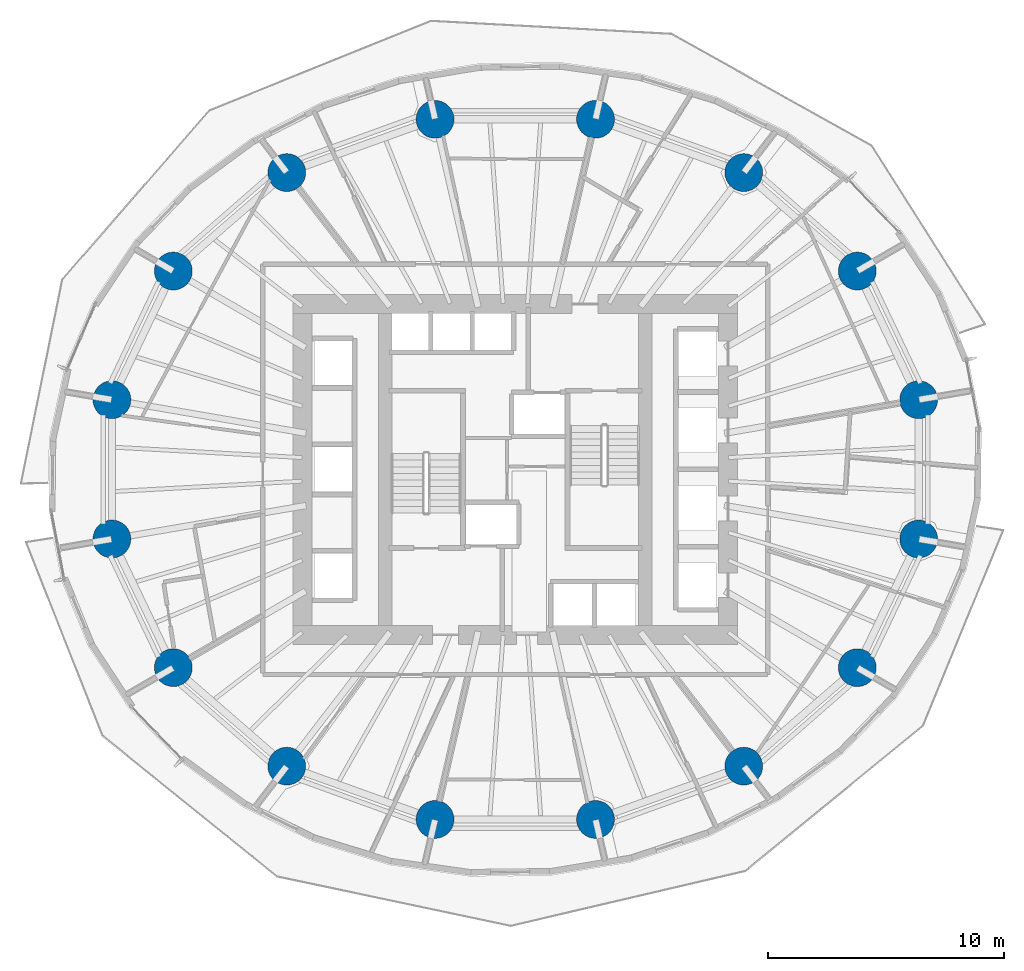
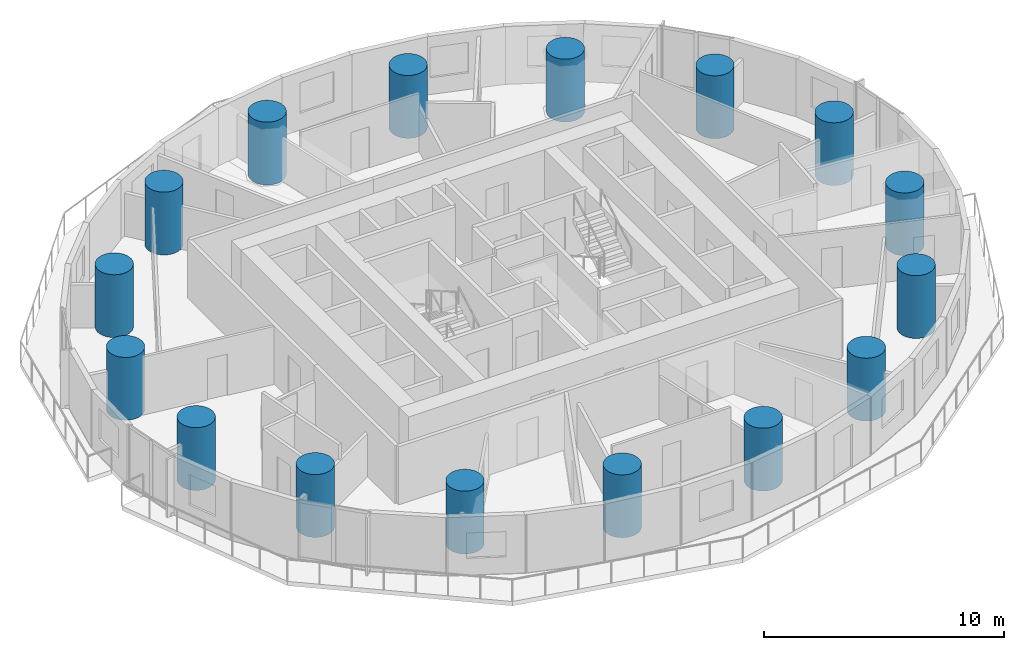
# One storey, part 1 of 14: 16 columns.
"""IFC4 building model written with IfcOpenShell, lengths in metres."""

from ifc_helpers import new_model, si_unit, direction, frame, origin, origin_2d, place, context, subcontext, project, spatial, circle, extrude, material, material_profile, profile_set, type_object, element, save


model = new_model("IFC4")

# Units and contexts
model_context = context("Model", 3, precision=1e-05, world=origin(), true_north=direction((0.0, 1.0)))
body_context = subcontext(model_context, "Body", "Model", "MODEL_VIEW")
ifc_project = project(units=[si_unit("LENGTHUNIT", "METRE"), si_unit("AREAUNIT", "SQUARE_METRE"), si_unit("VOLUMEUNIT", "CUBIC_METRE"), si_unit("PLANEANGLEUNIT", "RADIAN"), si_unit("MASSUNIT", "GRAM", prefix="KILO")], contexts=[model_context])

# Site, building, storey
site_placement = place(None, origin())
site = spatial("IfcSite", under=ifc_project, at=site_placement, CompositionType="ELEMENT")
building_placement = place(site_placement, origin())
building = spatial("IfcBuilding", under=site, at=building_placement, Name="Veldorim Arch Residences", CompositionType="ELEMENT")
storey_placement = place(building_placement, frame((0.0, 0.0, 28.0)))
storey = spatial("IfcBuildingStorey", under=building, at=storey_placement, Name="L07", CompositionType="ELEMENT", Elevation=28.0)

# Columns
ifc_material = material(Name="Concrete C60/75", Category="concrete")
ifc_material_profile = material_profile(ifc_material, circle(Radius=0.800048828125, at=origin_2d()), Name="RC_CIRC_1600")
ifc_profile_set = profile_set([ifc_material_profile], Name="Concrete C60/75")
column_type = type_object("IfcColumnType", Name="Structural Column RC_CIRC_1600", PredefinedType="COLUMN", material=ifc_profile_set)
for number, where, z_axis, x_axis, name in (
    (1, (49.065673828125, 26.94580078125, 0.0), (0.0, 0.0, 1.0), (1.0, 0.0, 0.0), "L07 TC-Z1-01 perimeter column"),
    (2, (46.467529296875, 32.38916015625, 0.0), (0.0, 0.0, 1.0), (1.0, 0.0, 0.0), "L07 TC-Z1-02 perimeter column"),
    (3, (41.6669921875, 36.55517578125, 0.0), (0.0, 0.0, 1.0), (1.0, 0.0, 0.0), "L07 TC-Z1-03 perimeter column"),
    (4, (35.39453125, 38.809814453125, 0.0), (0.0, 0.0, 1.0), (1.0, 0.0, 0.0), "L07 TC-Z1-04 perimeter column"),
    (5, (28.60546875, 38.809814453125, 0.0), (0.0, 0.0, 1.0), (1.0, 0.0, 0.0), "L07 TC-Z1-05 perimeter column"),
    (6, (22.3330078125, 36.55517578125, 0.0), (0.0, 0.0, 1.0), (1.0, 0.0, 0.0), "L07 TC-Z1-06 perimeter column"),
    (7, (17.532470703125, 32.38916015625, 0.0), (0.0, 0.0, 1.0), (1.0, 0.0, 0.0), "L07 TC-Z1-07 perimeter column"),
    (8, (14.934326171875, 26.94580078125, 0.0), (0.0, 0.0, 1.0), (1.0, 0.0, 0.0), "L07 TC-Z1-08 perimeter column"),
    (9, (14.934326171875, 21.05419921875, 0.0), (0.0, 0.0, 1.0), (1.0, 0.0, 0.0), "L07 TC-Z1-09 perimeter column"),
    (10, (17.532470703125, 15.61083984375, 0.0), (0.0, 0.0, 1.0), (1.0, 0.0, 0.0), "L07 TC-Z1-10 perimeter column"),
    (11, (22.3330078125, 11.44482421875, 0.0), (0.0, 0.0, 1.0), (1.0, 0.0, 0.0), "L07 TC-Z1-11 perimeter column"),
    (12, (28.60546875, 9.190185546875, 0.0), (0.0, 0.0, 1.0), (1.0, 0.0, 0.0), "L07 TC-Z1-12 perimeter column"),
    (13, (35.39453125, 9.190185546875, 0.0), (0.0, 0.0, 1.0), (1.0, 0.0, 0.0), "L07 TC-Z1-13 perimeter column"),
    (14, (41.6669921875, 11.44482421875, 0.0), (0.0, 0.0, 1.0), (1.0, 0.0, 0.0), "L07 TC-Z1-14 perimeter column"),
    (15, (46.467529296875, 15.61083984375, 0.0), (0.0, 0.0, 1.0), (1.0, 0.0, 0.0), "L07 TC-Z1-15 perimeter column"),
    (16, (49.065673828125, 21.05419921875, 0.0), (0.0, 0.0, 1.0), (1.0, 0.0, 0.0), "L07 TC-Z1-16 perimeter column"),
):
    element("IfcColumn", number, at=place(storey_placement, frame(where, z_axis=z_axis, x_axis=x_axis)), inside=storey, type_object=column_type, Name=name, PredefinedType="COLUMN", context=body_context, shape_type="SweptSolid", body=[
        extrude(circle(Radius=0.800048828125, at=origin_2d()), origin(), (0.0, 0.0, 1.0), 3.199951171875),
    ])

save(model, "model.ifc")
